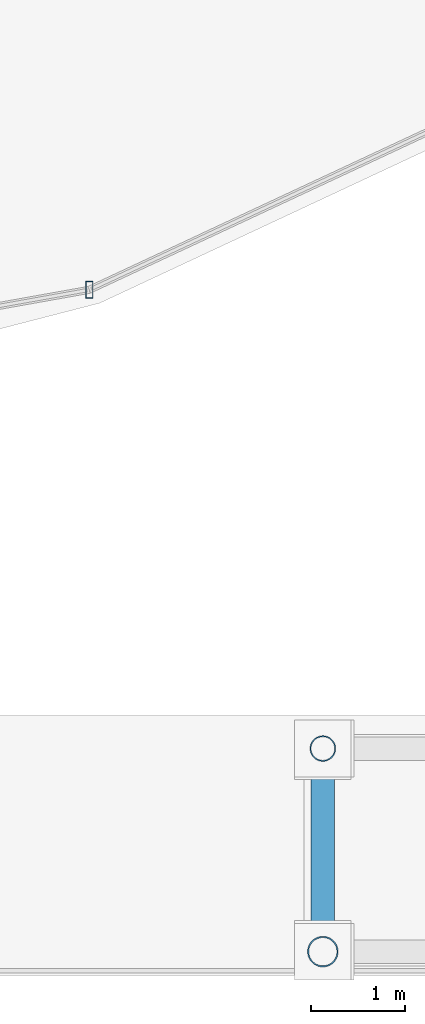
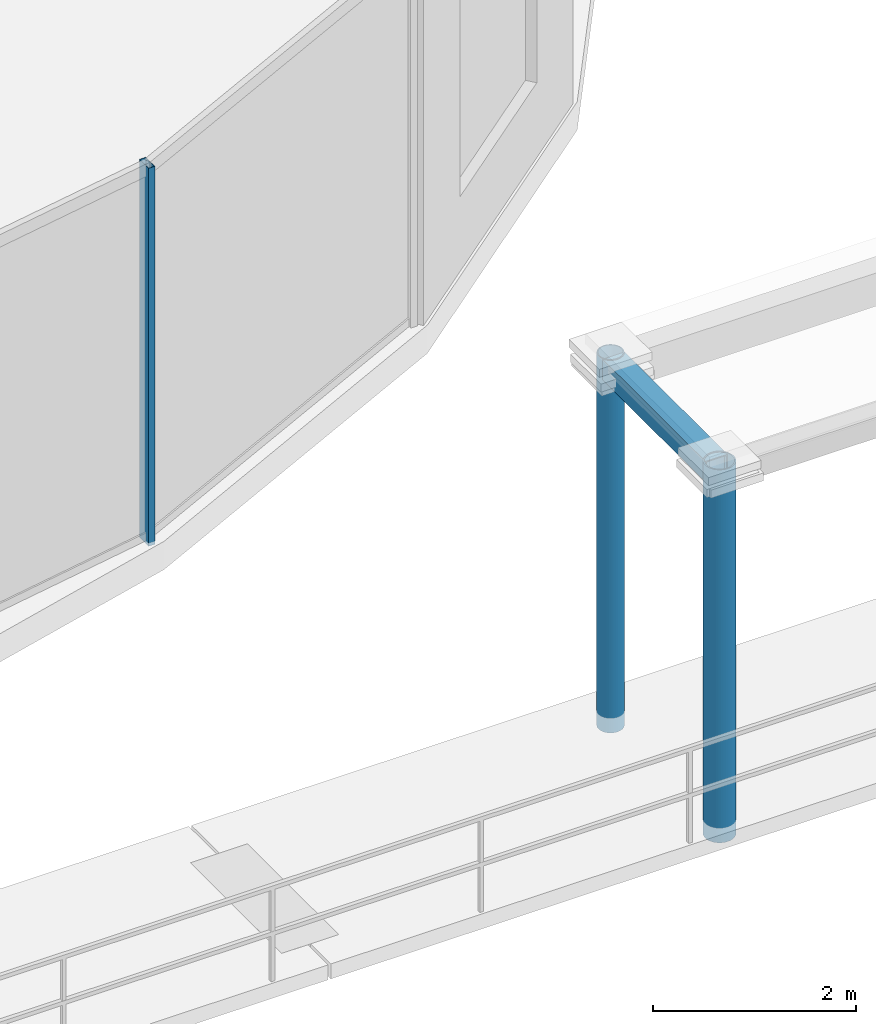
# One storey, part 12 of 36: 4 members, 1 element without a shape of its own.
"""IFC4 building model written with IfcOpenShell, lengths in metres."""

from ifc_helpers import new_model, si_unit, direction, frame, origin, origin_2d, place, context, subcontext, project, spatial, hollow_rectangle, hollow_circle, extrude, material, material_profile, profile_set, type_object, element, aggregate, save


model = new_model("IFC4")

# Units and contexts
model_context = context("Model", 3, precision=1e-05, world=origin(), true_north=direction((0.0, 1.0)))
body_context = subcontext(model_context, "Body", "Model", "MODEL_VIEW")
ifc_project = project(units=[si_unit("LENGTHUNIT", "METRE"), si_unit("AREAUNIT", "SQUARE_METRE"), si_unit("VOLUMEUNIT", "CUBIC_METRE"), si_unit("PLANEANGLEUNIT", "RADIAN"), si_unit("MASSUNIT", "GRAM", prefix="KILO")], contexts=[model_context])

# Site, building, storey
site_placement = place(None, origin())
site = spatial("IfcSite", under=ifc_project, at=site_placement, CompositionType="ELEMENT")
building_placement = place(site_placement, origin())
building = spatial("IfcBuilding", under=site, at=building_placement, Name="Vorneva Point Tower", CompositionType="ELEMENT")
storey_placement = place(building_placement, origin())
storey = spatial("IfcBuildingStorey", under=building, at=storey_placement, Name="L00", CompositionType="ELEMENT", Elevation=0.0)

# Curtain wall, member
ifc_material_1 = material(Name="Pale anodised aluminium", Category="aluminium")
curtain_wall_type = type_object("IfcCurtainWallType", Name="CW-POD-SYS", PredefinedType="NOTDEFINED", material=ifc_material_1)
curtain_wall_placement = place(storey_placement, origin())
curtain_wall = element("IfcCurtainWall", 1, at=curtain_wall_placement, inside=storey, type_object=curtain_wall_type, Name="L00 Unitised Curtain Wall CW-L00-R07", PredefinedType="NOTDEFINED")
ifc_material_profile_1 = material_profile(ifc_material_1, hollow_rectangle(XDim=0.074951171875, YDim=0.179931640625, WallThickness=0.00390625, at=origin_2d()), Name="AL-MUL 180x75x4")
ifc_profile_set_1 = profile_set([ifc_material_profile_1], Name="Pale anodised aluminium")
member_type_1 = type_object("IfcMemberType", Name="CW-MUL-180", PredefinedType="MULLION", material=ifc_profile_set_1)
member_1_placement = place(storey_placement, frame((62.128173828125, 5.056396484375, -0.0400390625), z_axis=(0.0, 0.0, 1.0), x_axis=(1.0, 0.0, 0.0)))
member_1 = element("IfcMember", 2, at=member_1_placement, type_object=member_type_1, Name="CW-L00-R07 Mullion 02", PredefinedType="MULLION", context=body_context, shape_type="SweptSolid", body=[
    extrude(hollow_rectangle(XDim=0.074951171875, YDim=0.179931640625, WallThickness=0.00390625, at=origin_2d()), origin(), (0.0, 0.0, 1.0), 4.550048828125),
])
aggregate(curtain_wall, [member_1])

# Members
ifc_material_2 = material(Name="Steel S355", Category="steel")
ifc_material_profile_2 = material_profile(ifc_material_2, hollow_circle(Radius=0.136474609375, WallThickness=0.011962890625, at=origin_2d()), Name="CHS 273x12")
ifc_profile_set_2 = profile_set([ifc_material_profile_2], Name="Steel S355")
member_type_2 = type_object("IfcMemberType", Name="MBR-CAN-CHS273", PredefinedType="STRUT", material=ifc_profile_set_2)
member_2_placement = place(storey_placement, frame((64.60009765625, 0.199951171875, -0.179931640625), z_axis=(0.0, 0.0, 1.0), x_axis=(1.0, 0.0, 0.0)))
element("IfcMember", 3, at=member_2_placement, inside=storey, type_object=member_type_2, Name="Waterfront Promenade Canopy CAN-05 Post 4", PredefinedType="STRUT", context=body_context, shape_type="SweptSolid", body=[
    extrude(hollow_circle(Radius=0.136474609375, WallThickness=0.011962890625, at=origin_2d()), origin(), (0.0, 0.0, 1.0), 4.489990234375),
])
ifc_material_profile_3 = material_profile(ifc_material_2, hollow_circle(Radius=0.16259765625, WallThickness=0.013916015625, at=origin_2d()), Name="CHS 325x14")
ifc_profile_set_3 = profile_set([ifc_material_profile_3], Name="Steel S355")
member_type_3 = type_object("IfcMemberType", Name="MBR-CAN-CHS325", PredefinedType="BRACE", material=ifc_profile_set_3)
member_3_placement = place(storey_placement, frame((64.60009765625, -1.949951171875, -0.179931640625), z_axis=(0.0, 0.0, 1.0), x_axis=(1.0, 0.0, 0.0)))
element("IfcMember", 4, at=member_3_placement, inside=storey, type_object=member_type_3, Name="Waterfront Promenade Canopy CAN-05 Post 1", PredefinedType="BRACE", context=body_context, shape_type="SweptSolid", body=[
    extrude(hollow_circle(Radius=0.16259765625, WallThickness=0.013916015625, at=origin_2d()), origin(), (0.0, 0.0, 1.0), 4.489990234375),
])
ifc_material_profile_4 = material_profile(ifc_material_2, hollow_rectangle(XDim=0.25, YDim=0.25, WallThickness=0.011962890625, at=origin_2d()), Name="PK 250x250x12")
ifc_profile_set_4 = profile_set([ifc_material_profile_4], Name="Steel S355")
member_type_4 = type_object("IfcMemberType", Name="MBR-STR-PK250", PredefinedType="STRUT", material=ifc_profile_set_4)
member_4_placement = place(storey_placement, frame((64.60009765625, 0.139892578125, 4.179931640625), z_axis=(0.0, -1.0, 0.0), x_axis=(1.0, 0.0, 0.0)))
element("IfcMember", 5, at=member_4_placement, inside=storey, type_object=member_type_4, Name="Waterfront Promenade Canopy CAN-05 Tie 4", PredefinedType="STRUT", context=body_context, shape_type="SweptSolid", body=[
    extrude(hollow_rectangle(XDim=0.25, YDim=0.25, WallThickness=0.011962890625, at=origin_2d()), origin(), (0.0, 0.0, 1.0), 2.02978515625),
])

save(model, "model.ifc")
